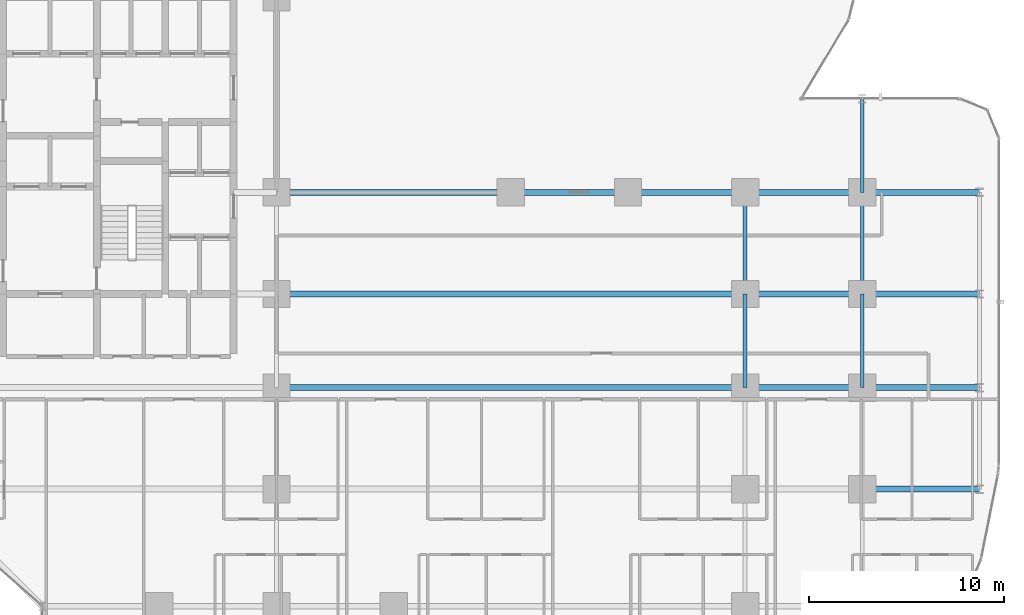
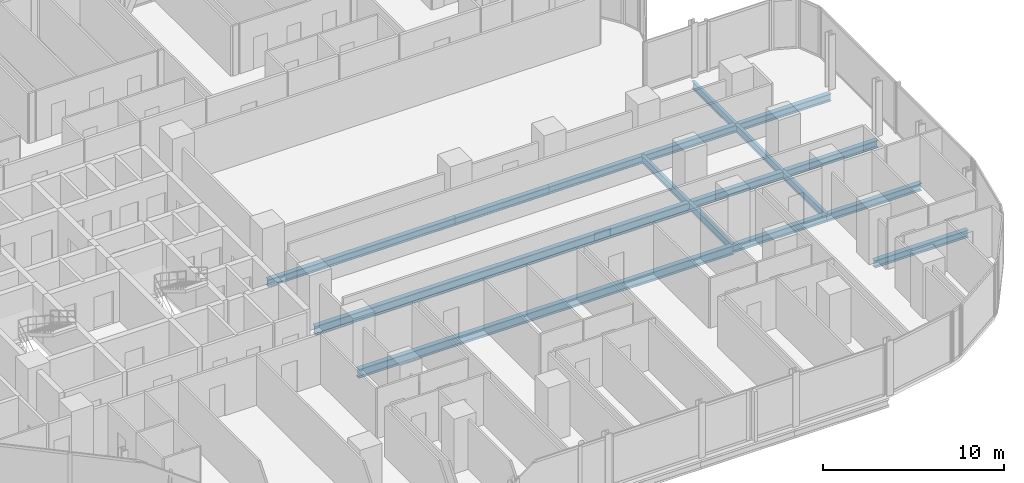
# One storey, part 10 of 34: 17 beams.
"""IFC4 building model written with IfcOpenShell, lengths in metres."""

from ifc_helpers import new_model, si_unit, direction, frame, origin, origin_2d, place, context, subcontext, project, spatial, i_section, extrude, material, material_profile, profile_set, type_object, element, save


model = new_model("IFC4")

# Units and contexts
model_context = context("Model", 3, precision=1e-05, world=origin(), true_north=direction((0.0, 1.0)))
body_context = subcontext(model_context, "Body", "Model", "MODEL_VIEW")
ifc_project = project(units=[si_unit("LENGTHUNIT", "METRE"), si_unit("AREAUNIT", "SQUARE_METRE"), si_unit("VOLUMEUNIT", "CUBIC_METRE"), si_unit("PLANEANGLEUNIT", "RADIAN"), si_unit("MASSUNIT", "GRAM", prefix="KILO")], contexts=[model_context])

# Site, building, storey
site_placement = place(None, origin())
site = spatial("IfcSite", under=ifc_project, at=site_placement, CompositionType="ELEMENT")
building_placement = place(site_placement, origin())
building = spatial("IfcBuilding", under=site, at=building_placement, Name="Keshet Zoharim Tower", CompositionType="ELEMENT")
storey_placement = place(building_placement, frame((0.0, 0.0, 38.800048828125)))
storey = spatial("IfcBuildingStorey", under=building, at=storey_placement, Name="L08", CompositionType="ELEMENT", Elevation=38.800048828125)

# Beams
ifc_material = material(Name="Steel S355", Category="steel")
ifc_material_profile_1 = material_profile(ifc_material, i_section(OverallWidth=0.300048828125, OverallDepth=0.60009765625, WebThickness=0.015380859375, FlangeThickness=0.030029296875, FilletRadius=0.027099609375, at=origin_2d()), Name="HEB600")
ifc_profile_set_1 = profile_set([ifc_material_profile_1], Name="Steel S355")
beam_type_1 = type_object("IfcBeamType", Name="BM-LNG-HB600", PredefinedType="BEAM", material=ifc_profile_set_1)
for number, where, z_axis, x_axis, name in (
    (1, (33.0, 17.89990234375, -0.614990234375), (1.0, 0.0, 0.0), (0.0, 1.0, 0.0), "L08 Primary Girder X-017"),
    (2, (33.0, 22.699951171875, -0.614990234375), (1.0, 0.0, 0.0), (0.0, 1.0, 0.0), "L08 Primary Girder X-020"),
):
    element("IfcBeam", number, at=place(storey_placement, frame(where, z_axis=z_axis, x_axis=x_axis)), inside=storey, type_object=beam_type_1, Name=name, PredefinedType="BEAM", context=body_context, shape_type="SweptSolid", body=[
        extrude(i_section(OverallWidth=0.300048828125, OverallDepth=0.60009765625, WebThickness=0.015380859375, FlangeThickness=0.030029296875, FilletRadius=0.027099609375, at=origin_2d()), origin(), (0.0, 0.0, 1.0), 24.0),
    ])
ifc_material_profile_2 = material_profile(ifc_material, i_section(OverallWidth=0.300048828125, OverallDepth=0.5, WebThickness=0.014404296875, FlangeThickness=0.028076171875, FilletRadius=0.027099609375, at=origin_2d()), Name="HEB500")
ifc_profile_set_2 = profile_set([ifc_material_profile_2], Name="Steel S355")
beam_type_2 = type_object("IfcBeamType", Name="BM-MED-HB500", PredefinedType="BEAM", material=ifc_profile_set_2)
beam_1_placement = place(storey_placement, frame((33.0, 27.89990234375, -0.56494140625), z_axis=(1.0, 0.0, 0.0), x_axis=(0.0, 1.0, 0.0)))
element("IfcBeam", 3, at=beam_1_placement, inside=storey, type_object=beam_type_2, Name="L08 Primary Girder X-023", PredefinedType="BEAM", context=body_context, shape_type="SweptSolid", body=[
    extrude(i_section(OverallWidth=0.300048828125, OverallDepth=0.5, WebThickness=0.014404296875, FlangeThickness=0.028076171875, FilletRadius=0.027099609375, at=origin_2d()), origin(), (0.0, 0.0, 1.0), 12.0),
])
ifc_material_profile_3 = material_profile(ifc_material, i_section(OverallWidth=0.199951171875, OverallDepth=0.5, WebThickness=0.01025390625, FlangeThickness=0.01611328125, FilletRadius=0.02099609375, at=origin_2d()), Name="IPE500")
ifc_profile_set_3 = profile_set([ifc_material_profile_3], Name="Steel S355")
beam_type_3 = type_object("IfcBeamType", Name="BM-PRI-IP500", PredefinedType="BEAM", material=ifc_profile_set_3)
beam_2_placement = place(storey_placement, frame((57.0, 17.89990234375, -0.56494140625), z_axis=(0.0, 1.0, 0.0), x_axis=(-1.0, 0.0, 0.0)))
element("IfcBeam", 4, at=beam_2_placement, inside=storey, type_object=beam_type_3, Name="L08 Primary Girder Y-016", PredefinedType="BEAM", context=body_context, shape_type="SweptSolid", body=[
    extrude(i_section(OverallWidth=0.199951171875, OverallDepth=0.5, WebThickness=0.01025390625, FlangeThickness=0.01611328125, FilletRadius=0.02099609375, at=origin_2d()), origin(), (0.0, 0.0, 1.0), 4.800048828125),
])
beam_3_placement = place(storey_placement, frame((57.0, 22.699951171875, -0.56494140625), z_axis=(0.0, 1.0, 0.0), x_axis=(-1.0, 0.0, 0.0)))
element("IfcBeam", 5, at=beam_3_placement, inside=storey, type_object=beam_type_3, Name="L08 Primary Girder Y-017", PredefinedType="BEAM", context=body_context, shape_type="SweptSolid", body=[
    extrude(i_section(OverallWidth=0.199951171875, OverallDepth=0.5, WebThickness=0.01025390625, FlangeThickness=0.01611328125, FilletRadius=0.02099609375, at=origin_2d()), origin(), (0.0, 0.0, 1.0), 5.199951171875),
])
beam_4_placement = place(storey_placement, frame((63.0, 17.89990234375, -0.56494140625), z_axis=(0.0, 1.0, 0.0), x_axis=(-1.0, 0.0, 0.0)))
element("IfcBeam", 6, at=beam_4_placement, inside=storey, type_object=beam_type_3, Name="L08 Primary Girder Y-020", PredefinedType="BEAM", context=body_context, shape_type="SweptSolid", body=[
    extrude(i_section(OverallWidth=0.199951171875, OverallDepth=0.5, WebThickness=0.01025390625, FlangeThickness=0.01611328125, FilletRadius=0.02099609375, at=origin_2d()), origin(), (0.0, 0.0, 1.0), 4.800048828125),
])
beam_5_placement = place(storey_placement, frame((63.0, 22.699951171875, -0.56494140625), z_axis=(0.0, 1.0, 0.0), x_axis=(-1.0, 0.0, 0.0)))
element("IfcBeam", 7, at=beam_5_placement, inside=storey, type_object=beam_type_3, Name="L08 Primary Girder Y-021", PredefinedType="BEAM", context=body_context, shape_type="SweptSolid", body=[
    extrude(i_section(OverallWidth=0.199951171875, OverallDepth=0.5, WebThickness=0.01025390625, FlangeThickness=0.01611328125, FilletRadius=0.02099609375, at=origin_2d()), origin(), (0.0, 0.0, 1.0), 5.199951171875),
])
beam_6_placement = place(storey_placement, frame((63.0, 27.89990234375, -0.56494140625), z_axis=(0.0, 1.0, 0.0), x_axis=(-1.0, 0.0, 0.0)))
element("IfcBeam", 8, at=beam_6_placement, inside=storey, type_object=beam_type_3, Name="L08 Primary Girder Y-022", PredefinedType="BEAM", context=body_context, shape_type="SweptSolid", body=[
    extrude(i_section(OverallWidth=0.199951171875, OverallDepth=0.5, WebThickness=0.01025390625, FlangeThickness=0.01611328125, FilletRadius=0.02099609375, at=origin_2d()), origin(), (0.0, 0.0, 1.0), 4.800048828125),
])
ifc_material_profile_4 = material_profile(ifc_material, i_section(OverallWidth=0.300048828125, OverallDepth=0.5, WebThickness=0.014404296875, FlangeThickness=0.028076171875, FilletRadius=0.027099609375, at=origin_2d()), Name="HEB500")
ifc_profile_set_4 = profile_set([ifc_material_profile_4], Name="Steel S355")
beam_type_4 = type_object("IfcBeamType", Name="BM-WEB-HB500", PredefinedType="BEAM", material=ifc_profile_set_4)
for number, where, z_axis, x_axis, name in (
    (9, (63.0, 12.699951171875, -0.56494140625), (1.0, 0.0, 0.0), (0.0, 1.0, 0.0), "L08 Primary Girder X-014"),
    (10, (57.0, 17.89990234375, -0.56494140625), (1.0, 0.0, 0.0), (0.0, 1.0, 0.0), "L08 Primary Girder X-018"),
    (11, (63.0, 17.89990234375, -0.56494140625), (1.0, 0.0, 0.0), (0.0, 1.0, 0.0), "L08 Primary Girder X-019"),
    (12, (57.0, 22.699951171875, -0.56494140625), (1.0, 0.0, 0.0), (0.0, 1.0, 0.0), "L08 Primary Girder X-021"),
    (13, (63.0, 22.699951171875, -0.56494140625), (1.0, 0.0, 0.0), (0.0, 1.0, 0.0), "L08 Primary Girder X-022"),
    (14, (45.0, 27.89990234375, -0.56494140625), (1.0, 0.0, 0.0), (0.0, 1.0, 0.0), "L08 Primary Girder X-024"),
    (15, (51.0, 27.89990234375, -0.56494140625), (1.0, 0.0, 0.0), (0.0, 1.0, 0.0), "L08 Primary Girder X-025"),
    (16, (57.0, 27.89990234375, -0.56494140625), (1.0, 0.0, 0.0), (0.0, 1.0, 0.0), "L08 Primary Girder X-026"),
    (17, (63.0, 27.89990234375, -0.56494140625), (1.0, 0.0, 0.0), (0.0, 1.0, 0.0), "L08 Primary Girder X-027"),
):
    element("IfcBeam", number, at=place(storey_placement, frame(where, z_axis=z_axis, x_axis=x_axis)), inside=storey, type_object=beam_type_4, Name=name, PredefinedType="BEAM", context=body_context, shape_type="SweptSolid", body=[
        extrude(i_section(OverallWidth=0.300048828125, OverallDepth=0.5, WebThickness=0.014404296875, FlangeThickness=0.028076171875, FilletRadius=0.027099609375, at=origin_2d()), origin(), (0.0, 0.0, 1.0), 6.0),
    ])

save(model, "model.ifc")
